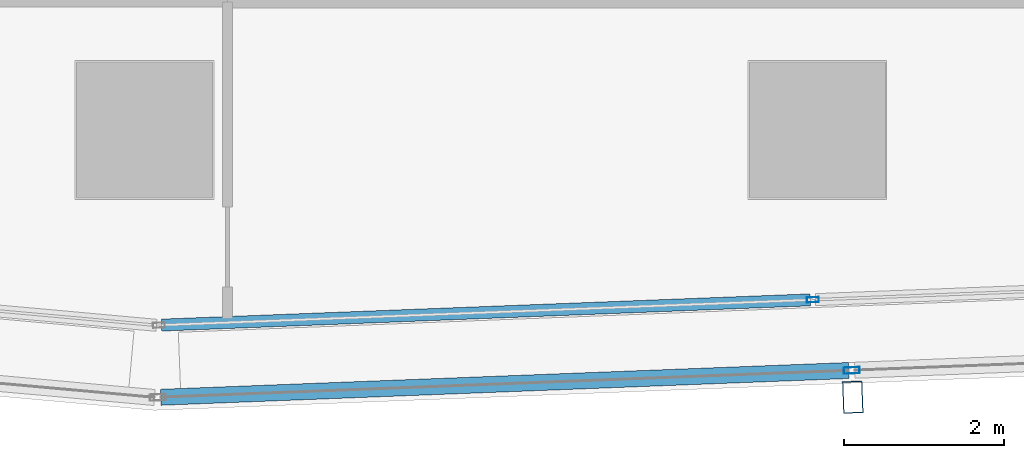
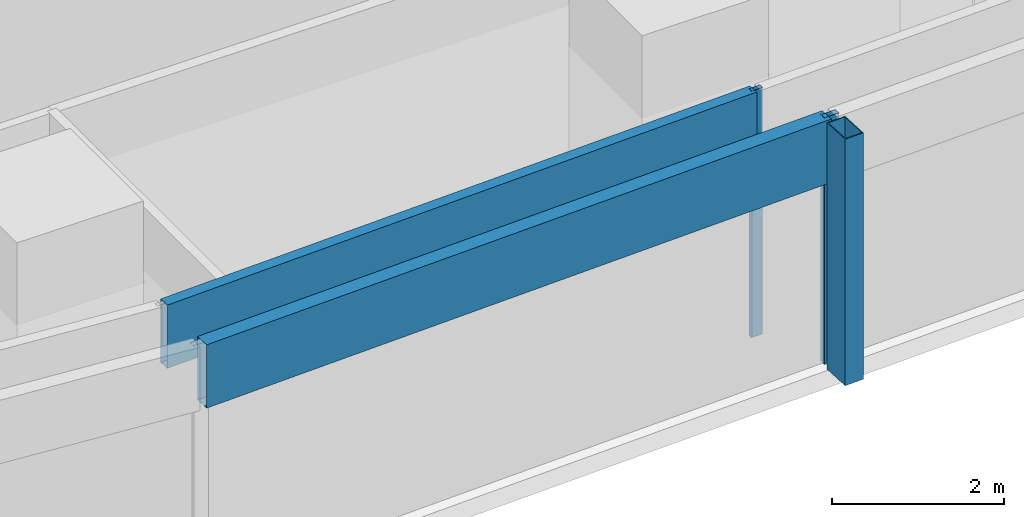
# One storey, part 6 of 40: 5 members, 2 elements without a shape of their own.
"""IFC4 building model written with IfcOpenShell, lengths in metres."""

from ifc_helpers import new_model, si_unit, direction, frame, origin, origin_2d, place, context, subcontext, project, spatial, hollow_rectangle, extrude, material, material_profile, profile_set, type_object, element, aggregate, save


model = new_model("IFC4")

# Units and contexts
model_context = context("Model", 3, precision=1e-05, world=origin(), true_north=direction((0.0, 1.0)))
body_context = subcontext(model_context, "Body", "Model", "MODEL_VIEW")
ifc_project = project(units=[si_unit("LENGTHUNIT", "METRE"), si_unit("AREAUNIT", "SQUARE_METRE"), si_unit("VOLUMEUNIT", "CUBIC_METRE"), si_unit("PLANEANGLEUNIT", "RADIAN"), si_unit("MASSUNIT", "GRAM", prefix="KILO")], contexts=[model_context])

# Site, building, storey
site_placement = place(None, origin())
site = spatial("IfcSite", under=ifc_project, at=site_placement, CompositionType="ELEMENT")
building_placement = place(site_placement, origin())
building = spatial("IfcBuilding", under=site, at=building_placement, Name="Rekha Terrace Tower", CompositionType="ELEMENT")
storey_placement = place(building_placement, frame((0.0, 0.0, 110.300048828125)))
storey = spatial("IfcBuildingStorey", under=building, at=storey_placement, Name="L27", CompositionType="ELEMENT", Elevation=110.300048828125)

# Curtain wall, member
ifc_material_1 = material(Name="Aluminium framing", Category="aluminium")
curtain_wall_type_1 = type_object("IfcCurtainWallType", Name="CW2 double skin outer glazing", PredefinedType="USERDEFINED", material=ifc_material_1)
curtain_wall_1_placement = place(storey_placement, origin())
curtain_wall_1 = element("IfcCurtainWall", 1, at=curtain_wall_1_placement, inside=storey, type_object=curtain_wall_type_1, Name="CW2 double skin outer glazing", ObjectType="DOUBLE SKIN OUTER GLAZING", PredefinedType="USERDEFINED")
ifc_material_2 = material(Name="Steel S355 with fluorocarbon finish", Category="steel")
ifc_material_profile_1 = material_profile(ifc_material_2, hollow_rectangle(XDim=0.25, YDim=0.39990234375, WallThickness=0.012451171875, at=origin_2d()), Name="RHS400x250x12.5")
ifc_profile_set_1 = profile_set([ifc_material_profile_1], Name="Steel S355 with fluorocarbon finish")
member_type_1 = type_object("IfcMemberType", Name="BL1 facade blade RHS 400 x 250", PredefinedType="USERDEFINED", material=ifc_profile_set_1)
member_1_placement = place(storey_placement, frame((34.042236328125, 13.46435546875, 0.0), z_axis=(0.0, 0.0, 1.0), x_axis=(0.999243494356, 0.038890088543, 0.0)))
member_1 = element("IfcMember", 2, at=member_1_placement, type_object=member_type_1, Name="Facade blade", ObjectType="FACADE BLADE", PredefinedType="USERDEFINED", context=body_context, shape_type="SweptSolid", body=[
    extrude(hollow_rectangle(XDim=0.25, YDim=0.39990234375, WallThickness=0.012451171875, at=origin_2d()), origin(), (0.0, 0.0, 1.0), 3.5),
])

# Curtain wall, members
curtain_wall_type_2 = type_object("IfcCurtainWallType", Name="CW1 double skin inner glazing", PredefinedType="USERDEFINED", material=ifc_material_1)
curtain_wall_2_placement = place(storey_placement, origin())
curtain_wall_2 = element("IfcCurtainWall", 3, at=curtain_wall_2_placement, inside=storey, type_object=curtain_wall_type_2, Name="CW1 double skin inner glazing", ObjectType="DOUBLE SKIN INNER GLAZING", PredefinedType="USERDEFINED")
ifc_material_3 = material(Name="Aluminium mullion section", Category="aluminium")
ifc_material_profile_2 = material_profile(ifc_material_3, hollow_rectangle(XDim=0.06494140625, YDim=0.14990234375, WallThickness=0.00390625, at=origin_2d()), Name="AL RHS 65x150")
ifc_profile_set_2 = profile_set([ifc_material_profile_2], Name="Aluminium mullion section")
member_type_2 = type_object("IfcMemberType", Name="CW1 mullion RHS 65 x 150", PredefinedType="MULLION", material=ifc_profile_set_2)
member_2_placement = place(storey_placement, frame((33.5439453125, 14.680908203125, 0.0), z_axis=(0.0, 0.0, 1.0), x_axis=(-0.038889971345, 0.999243498917, 0.0)))
member_2 = element("IfcMember", 4, at=member_2_placement, type_object=member_type_2, Name="CW1 mullion 2", PredefinedType="MULLION", context=body_context, shape_type="SweptSolid", body=[
    extrude(hollow_rectangle(XDim=0.06494140625, YDim=0.14990234375, WallThickness=0.00390625, at=origin_2d()), origin(), (0.0, 0.0, 1.0), 3.5),
])
ifc_material_4 = material(Name="Insulated aluminium spandrel box", Category="aluminium")
ifc_material_profile_3 = material_profile(ifc_material_4, hollow_rectangle(XDim=0.14990234375, YDim=0.89990234375, WallThickness=0.0029296875, at=origin_2d()), Name="AL SPANDREL BOX 150x900")
ifc_profile_set_3 = profile_set([ifc_material_profile_3], Name="Insulated aluminium spandrel box")
member_type_3 = type_object("IfcMemberType", Name="CW1 spandrel transom 150 x 900", PredefinedType="USERDEFINED", material=ifc_profile_set_3)
member_3_placement = place(storey_placement, frame((25.412353515625, 14.364501953125, 3.050048828125), z_axis=(0.999243630757, 0.038886583689, 0.0), x_axis=(-0.038886583689, 0.999243630757, 0.0)))
member_3 = element("IfcMember", 5, at=member_3_placement, type_object=member_type_3, Name="CW1 spandrel transom 1", ObjectType="TRANSOM", PredefinedType="USERDEFINED", context=body_context, shape_type="SweptSolid", body=[
    extrude(hollow_rectangle(XDim=0.14990234375, YDim=0.89990234375, WallThickness=0.0029296875, at=origin_2d()), origin(), (0.0, 0.0, 1.0), 8.105224609375),
])
aggregate(curtain_wall_2, [member_2, member_3])

# Member
ifc_material_profile_4 = material_profile(ifc_material_3, hollow_rectangle(XDim=0.080078125, YDim=0.199951171875, WallThickness=0.00390625, at=origin_2d()), Name="AL RHS 80x200")
ifc_profile_set_4 = profile_set([ifc_material_profile_4], Name="Aluminium mullion section")
member_type_4 = type_object("IfcMemberType", Name="CW2 mullion RHS 80 x 200", PredefinedType="MULLION", material=ifc_profile_set_4)
member_4_placement = place(storey_placement, frame((34.029052734375, 13.799072265625, 0.0), z_axis=(0.0, 0.0, 1.0), x_axis=(-0.038889971345, 0.999243498917, 0.0)))
member_4 = element("IfcMember", 6, at=member_4_placement, type_object=member_type_4, Name="CW2 mullion 2", PredefinedType="MULLION", context=body_context, shape_type="SweptSolid", body=[
    extrude(hollow_rectangle(XDim=0.080078125, YDim=0.199951171875, WallThickness=0.00390625, at=origin_2d()), origin(), (0.0, 0.0, 1.0), 3.5),
])

ifc_material_profile_5 = material_profile(ifc_material_4, hollow_rectangle(XDim=0.199951171875, YDim=0.89990234375, WallThickness=0.0029296875, at=origin_2d()), Name="AL SPANDREL BOX 200x900")
ifc_profile_set_5 = profile_set([ifc_material_profile_5], Name="Insulated aluminium spandrel box")
member_type_5 = type_object("IfcMemberType", Name="CW2 spandrel transom 200 x 900", PredefinedType="USERDEFINED", material=ifc_profile_set_5)
member_5_placement = place(storey_placement, frame((25.404052734375, 13.46337890625, 3.050048828125), z_axis=(0.999243058466, 0.038901286707, 0.0), x_axis=(-0.038901286707, 0.999243058466, 0.0)))
member_5 = element("IfcMember", 7, at=member_5_placement, type_object=member_type_5, Name="CW2 spandrel transom 1", ObjectType="TRANSOM", PredefinedType="USERDEFINED", context=body_context, shape_type="SweptSolid", body=[
    extrude(hollow_rectangle(XDim=0.199951171875, YDim=0.89990234375, WallThickness=0.0029296875, at=origin_2d()), origin(), (0.0, 0.0, 1.0), 8.591796875),
])

aggregate(curtain_wall_1, [member_4, member_5, member_1])

save(model, "model.ifc")
